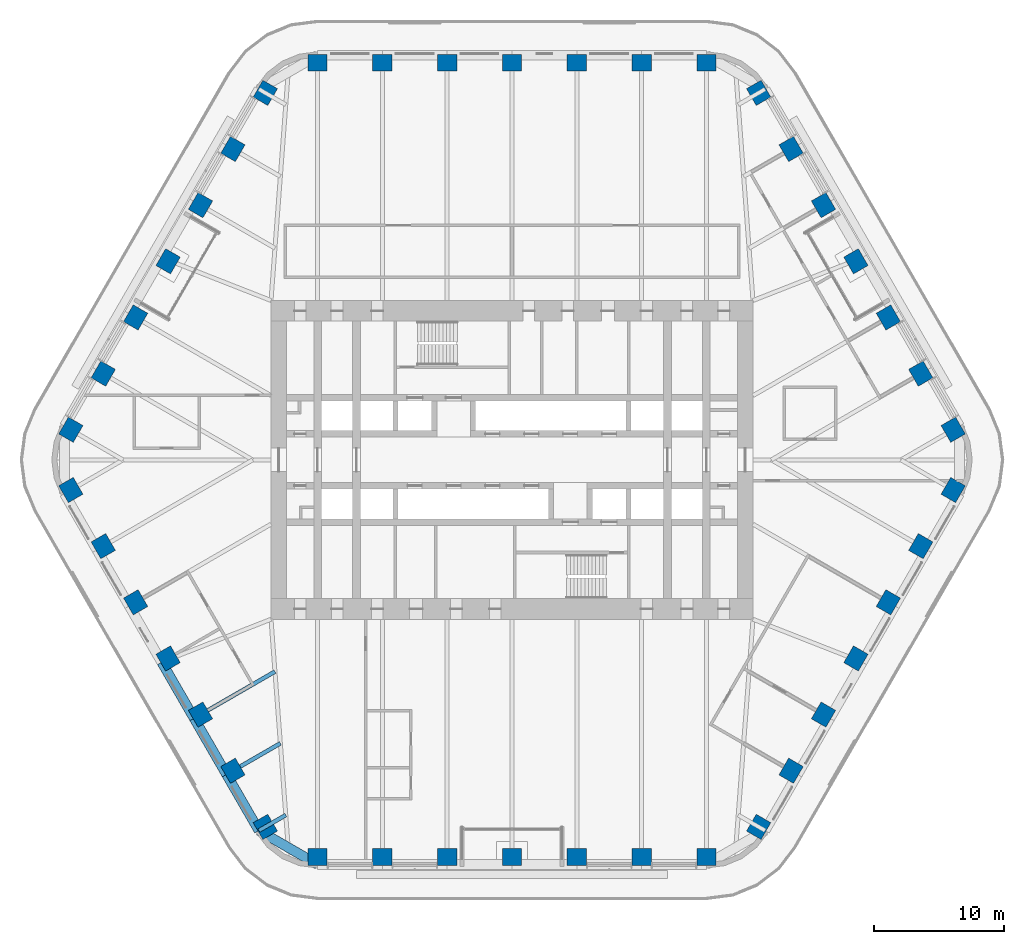
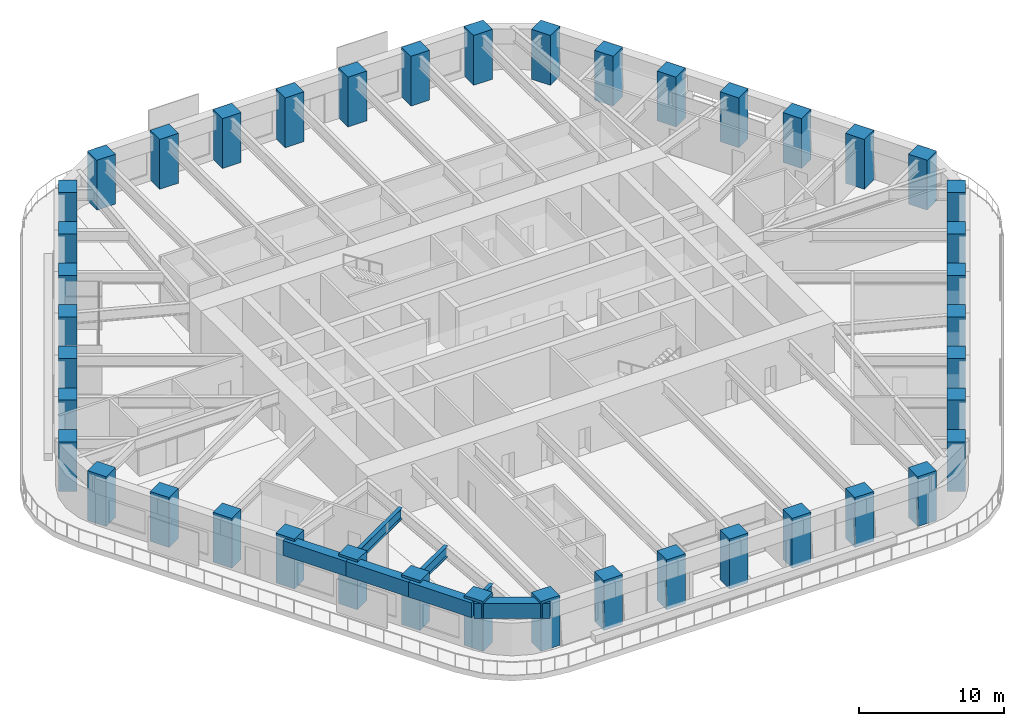
# One storey, part 1 of 24: 42 columns, 7 beams.
"""IFC4 building model written with IfcOpenShell, lengths in metres."""

from ifc_helpers import new_model, si_unit, direction, frame, origin, origin_2d, place, context, subcontext, project, spatial, rectangle, i_section, extrude, material, material_profile, profile_set, type_object, element, save


model = new_model("IFC4")

# Units and contexts
model_context = context("Model", 3, precision=1e-05, world=origin(), true_north=direction((0.0, 1.0)))
body_context = subcontext(model_context, "Body", "Model", "MODEL_VIEW")
ifc_project = project(units=[si_unit("LENGTHUNIT", "METRE"), si_unit("AREAUNIT", "SQUARE_METRE"), si_unit("VOLUMEUNIT", "CUBIC_METRE"), si_unit("PLANEANGLEUNIT", "RADIAN"), si_unit("MASSUNIT", "GRAM", prefix="KILO")], contexts=[model_context])

# Site, building, storey
site_placement = place(None, origin())
site = spatial("IfcSite", under=ifc_project, at=site_placement, CompositionType="ELEMENT")
building_placement = place(site_placement, origin())
building = spatial("IfcBuilding", under=site, at=building_placement, Name="Tarfa Lantern Tower", CompositionType="ELEMENT")
storey_placement = place(building_placement, frame((0.0, 0.0, 186.699951171875)))
storey = spatial("IfcBuildingStorey", under=building, at=storey_placement, Name="L42", CompositionType="ELEMENT", Elevation=186.699951171875)

# Columns
ifc_material_1 = material(Name="Concrete C80/95", Category="concrete")
ifc_material_profile_1 = material_profile(ifc_material_1, rectangle(XDim=1.5, YDim=1.300048828125, at=origin_2d()), Name="RC 1500x1300")
ifc_profile_set_1 = profile_set([ifc_material_profile_1], Name="Concrete C80/95")
column_type = type_object("IfcColumnType", Name="TC8 RC 1500x1300", PredefinedType="COLUMN", material=ifc_profile_set_1)
for number, where, z_axis, x_axis, name in (
    (1, (34.04931640625, 2.324951171875, 0.0), (0.0, 0.0, 1.0), (-0.5, 0.866025403784, 0.0), "Tube column NE0"),
    (2, (31.54736328125, 6.658447265625, 0.0), (0.0, 0.0, 1.0), (-0.5, 0.866025403784, 0.0), "Tube column NE1"),
    (3, (29.04541015625, 10.99169921875, 0.0), (0.0, 0.0, 1.0), (-0.5, 0.866025403784, 0.0), "Tube column NE2"),
    (4, (26.543701171875, 15.324951171875, 0.0), (0.0, 0.0, 1.0), (-0.5, 0.866025403784, 0.0), "Tube column NE3"),
    (5, (24.041748046875, 19.658447265625, 0.0), (0.0, 0.0, 1.0), (-0.5, 0.866025403784, 0.0), "Tube column NE4"),
    (6, (21.5400390625, 23.99169921875, 0.0), (0.0, 0.0, 1.0), (-0.5, 0.866025403784, 0.0), "Tube column NE5"),
    (7, (19.0380859375, 28.324951171875, 0.0), (0.0, 0.0, 1.0), (-0.5, 0.866025403784, 0.0), "Tube column NE6"),
    (8, (15.010986328125, 30.64990234375, 0.0), (0.0, 0.0, 1.0), (-1.0, 0.0, 0.0), "Tube column N0"),
    (9, (10.00732421875, 30.64990234375, 0.0), (0.0, 0.0, 1.0), (-1.0, 0.0, 0.0), "Tube column N1"),
    (10, (5.003662109375, 30.64990234375, 0.0), (0.0, 0.0, 1.0), (-1.0, 0.0, 0.0), "Tube column N2"),
    (11, (0.0, 30.64990234375, 0.0), (0.0, 0.0, 1.0), (-1.0, 0.0, 0.0), "Tube column N3"),
    (12, (-5.003662109375, 30.64990234375, 0.0), (0.0, 0.0, 1.0), (-1.0, 0.0, 0.0), "Tube column N4"),
    (13, (-10.00732421875, 30.64990234375, 0.0), (0.0, 0.0, 1.0), (-1.0, 0.0, 0.0), "Tube column N5"),
    (14, (-15.010986328125, 30.64990234375, 0.0), (0.0, 0.0, 1.0), (-1.0, 0.0, 0.0), "Tube column N6"),
    (15, (-19.0380859375, 28.324951171875, 0.0), (0.0, 0.0, 1.0), (-0.5, -0.866025403784, 0.0), "Tube column NW0"),
    (16, (-21.5400390625, 23.99169921875, 0.0), (0.0, 0.0, 1.0), (-0.5, -0.866025403784, 0.0), "Tube column NW1"),
    (17, (-24.041748046875, 19.658447265625, 0.0), (0.0, 0.0, 1.0), (-0.5, -0.866025403784, 0.0), "Tube column NW2"),
    (18, (-26.543701171875, 15.324951171875, 0.0), (0.0, 0.0, 1.0), (-0.5, -0.866025403784, 0.0), "Tube column NW3"),
    (19, (-29.04541015625, 10.99169921875, 0.0), (0.0, 0.0, 1.0), (-0.5, -0.866025403784, 0.0), "Tube column NW4"),
    (20, (-31.54736328125, 6.658447265625, 0.0), (0.0, 0.0, 1.0), (-0.5, -0.866025403784, 0.0), "Tube column NW5"),
    (21, (-34.04931640625, 2.324951171875, 0.0), (0.0, 0.0, 1.0), (-0.5, -0.866025403784, 0.0), "Tube column NW6"),
    (22, (-34.04931640625, -2.324951171875, 0.0), (0.0, 0.0, 1.0), (0.5, -0.866025403784, 0.0), "Tube column SW0"),
    (23, (-31.54736328125, -6.658447265625, 0.0), (0.0, 0.0, 1.0), (0.5, -0.866025403784, 0.0), "Tube column SW1"),
    (24, (-29.04541015625, -10.99169921875, 0.0), (0.0, 0.0, 1.0), (0.5, -0.866025403784, 0.0), "Tube column SW2"),
    (25, (-26.543701171875, -15.324951171875, 0.0), (0.0, 0.0, 1.0), (0.5, -0.866025403784, 0.0), "Tube column SW3"),
    (26, (-24.041748046875, -19.658447265625, 0.0), (0.0, 0.0, 1.0), (0.5, -0.866025403784, 0.0), "Tube column SW4"),
    (27, (-21.5400390625, -23.99169921875, 0.0), (0.0, 0.0, 1.0), (0.5, -0.866025403784, 0.0), "Tube column SW5"),
    (28, (-19.0380859375, -28.324951171875, 0.0), (0.0, 0.0, 1.0), (0.5, -0.866025403784, 0.0), "Tube column SW6"),
    (29, (-15.010986328125, -30.64990234375, 0.0), (0.0, 0.0, 1.0), (1.0, 0.0, 0.0), "Tube column S0"),
    (30, (-10.00732421875, -30.64990234375, 0.0), (0.0, 0.0, 1.0), (1.0, 0.0, 0.0), "Tube column S1"),
    (31, (-5.003662109375, -30.64990234375, 0.0), (0.0, 0.0, 1.0), (1.0, 0.0, 0.0), "Tube column S2"),
    (32, (0.0, -30.64990234375, 0.0), (0.0, 0.0, 1.0), (1.0, 0.0, 0.0), "Tube column S3"),
    (33, (5.003662109375, -30.64990234375, 0.0), (0.0, 0.0, 1.0), (1.0, 0.0, 0.0), "Tube column S4"),
    (34, (10.00732421875, -30.64990234375, 0.0), (0.0, 0.0, 1.0), (1.0, 0.0, 0.0), "Tube column S5"),
    (35, (15.010986328125, -30.64990234375, 0.0), (0.0, 0.0, 1.0), (1.0, 0.0, 0.0), "Tube column S6"),
    (36, (19.0380859375, -28.324951171875, 0.0), (0.0, 0.0, 1.0), (0.5, 0.866025403784, 0.0), "Tube column SE0"),
    (37, (21.5400390625, -23.99169921875, 0.0), (0.0, 0.0, 1.0), (0.5, 0.866025403784, 0.0), "Tube column SE1"),
    (38, (24.041748046875, -19.658447265625, 0.0), (0.0, 0.0, 1.0), (0.5, 0.866025403784, 0.0), "Tube column SE2"),
    (39, (26.543701171875, -15.324951171875, 0.0), (0.0, 0.0, 1.0), (0.5, 0.866025403784, 0.0), "Tube column SE3"),
    (40, (29.04541015625, -10.99169921875, 0.0), (0.0, 0.0, 1.0), (0.5, 0.866025403784, 0.0), "Tube column SE4"),
    (41, (31.54736328125, -6.658447265625, 0.0), (0.0, 0.0, 1.0), (0.5, 0.866025403784, 0.0), "Tube column SE5"),
    (42, (34.04931640625, -2.324951171875, 0.0), (0.0, 0.0, 1.0), (0.5, 0.866025403784, 0.0), "Tube column SE6"),
):
    element("IfcColumn", number, at=place(storey_placement, frame(where, z_axis=z_axis, x_axis=x_axis)), inside=storey, type_object=column_type, Name=name, PredefinedType="COLUMN", context=body_context, shape_type="SweptSolid", body=[
        extrude(rectangle(XDim=1.5, YDim=1.300048828125, at=origin_2d()), origin(), (0.0, 0.0, 1.0), 4.199951171875),
    ])

# Beams
ifc_material_profile_2 = material_profile(ifc_material_1, rectangle(XDim=0.75, YDim=1.25, at=origin_2d()), Name="RC 750x1250")
ifc_profile_set_2 = profile_set([ifc_material_profile_2], Name="Concrete C80/95")
beam_type_1 = type_object("IfcBeamType", Name="EB2 RC 750x1250", PredefinedType="SPANDREL", material=ifc_profile_set_2)
for number, where, z_axis, x_axis, name in (
    (43, (-27.037353515625, -15.610107421875, 3.375), (0.500022324899, -0.866012514114, 0.0), (0.866012514114, 0.500022324899, 0.0), "Edge beam SW3"),
    (44, (-24.535400390625, -19.943359375, 3.375), (0.49998573051, -0.866033642122, 0.0), (0.866033642122, 0.49998573051, 0.0), "Edge beam SW4"),
):
    element("IfcBeam", number, at=place(storey_placement, frame(where, z_axis=z_axis, x_axis=x_axis)), inside=storey, type_object=beam_type_1, Name=name, PredefinedType="SPANDREL", context=body_context, shape_type="SweptSolid", body=[
        extrude(rectangle(XDim=0.75, YDim=1.25, at=origin_2d()), origin(), (0.0, 0.0, 1.0), 5.003662109375),
    ])
beam_1_placement = place(storey_placement, frame((-22.03369140625, -24.276611328125, 3.375), z_axis=(0.500001197378, -0.866024712477, 0.0), x_axis=(0.866024712477, 0.500001197378, 0.0)))
element("IfcBeam", 45, at=beam_1_placement, inside=storey, type_object=beam_type_1, Name="Edge beam SW5", PredefinedType="SPANDREL", context=body_context, shape_type="SweptSolid", body=[
    extrude(rectangle(XDim=0.75, YDim=1.25, at=origin_2d()), origin(), (0.0, 0.0, 1.0), 5.00390625),
])
beam_2_placement = place(storey_placement, frame((-19.53173828125, -28.610107421875, 3.375), z_axis=(0.86604150238, -0.499972115377, 0.0), x_axis=(0.499972115377, 0.86604150238, 0.0)))
element("IfcBeam", 46, at=beam_2_placement, inside=storey, type_object=beam_type_1, Name="Edge beam SW6", PredefinedType="SPANDREL", context=body_context, shape_type="SweptSolid", body=[
    extrude(rectangle(XDim=0.75, YDim=1.25, at=origin_2d()), origin(), (0.0, 0.0, 1.0), 5.219970703125),
])
ifc_material_2 = material(Name="Steel S460M", Category="steel")
ifc_material_profile_3 = material_profile(ifc_material_2, i_section(OverallWidth=0.305419921875, OverallDepth=0.91845703125, WebThickness=0.017333984375, FlangeThickness=0.02783203125, FilletRadius=0.01904296875, at=origin_2d()), Name="UB914x305x253")
ifc_profile_set_3 = profile_set([ifc_material_profile_3], Name="Steel S460M")
beam_type_2 = type_object("IfcBeamType", Name="UB914x305x253", PredefinedType="BEAM", material=ifc_profile_set_3)
beam_3_placement = place(storey_placement, frame((-24.535400390625, -19.943359375, 3.540771484375), z_axis=(0.86602647304, 0.499998147991, 0.0), x_axis=(-0.499998147991, 0.86602647304, 0.0)))
element("IfcBeam", 47, at=beam_3_placement, inside=storey, type_object=beam_type_2, Name="Floor beam SW4", PredefinedType="BEAM", context=body_context, shape_type="SweptSolid", body=[
    extrude(i_section(OverallWidth=0.305419921875, OverallDepth=0.91845703125, WebThickness=0.017333984375, FlangeThickness=0.02783203125, FilletRadius=0.01904296875, at=origin_2d()), origin(), (0.0, 0.0, 1.0), 7.20556640625),
])
beam_4_placement = place(storey_placement, frame((-22.03369140625, -24.276611328125, 3.540771484375), z_axis=(0.866030550462, 0.499991085587, 0.0), x_axis=(-0.499991085587, 0.866030550462, 0.0)))
element("IfcBeam", 48, at=beam_4_placement, inside=storey, type_object=beam_type_2, Name="Floor beam SW5", PredefinedType="BEAM", context=body_context, shape_type="SweptSolid", body=[
    extrude(i_section(OverallWidth=0.305419921875, OverallDepth=0.91845703125, WebThickness=0.017333984375, FlangeThickness=0.02783203125, FilletRadius=0.01904296875, at=origin_2d()), origin(), (0.0, 0.0, 1.0), 4.798828125),
])
beam_5_placement = place(storey_placement, frame((-19.53173828125, -28.610107421875, 3.540771484375), z_axis=(0.865998640954, 0.500046351717, 0.0), x_axis=(-0.500046351717, 0.865998640954, 0.0)))
element("IfcBeam", 49, at=beam_5_placement, inside=storey, type_object=beam_type_2, Name="Floor beam SW6", PredefinedType="BEAM", context=body_context, shape_type="SweptSolid", body=[
    extrude(i_section(OverallWidth=0.305419921875, OverallDepth=0.91845703125, WebThickness=0.017333984375, FlangeThickness=0.02783203125, FilletRadius=0.01904296875, at=origin_2d()), origin(), (0.0, 0.0, 1.0), 2.392333984375),
])

save(model, "model.ifc")
